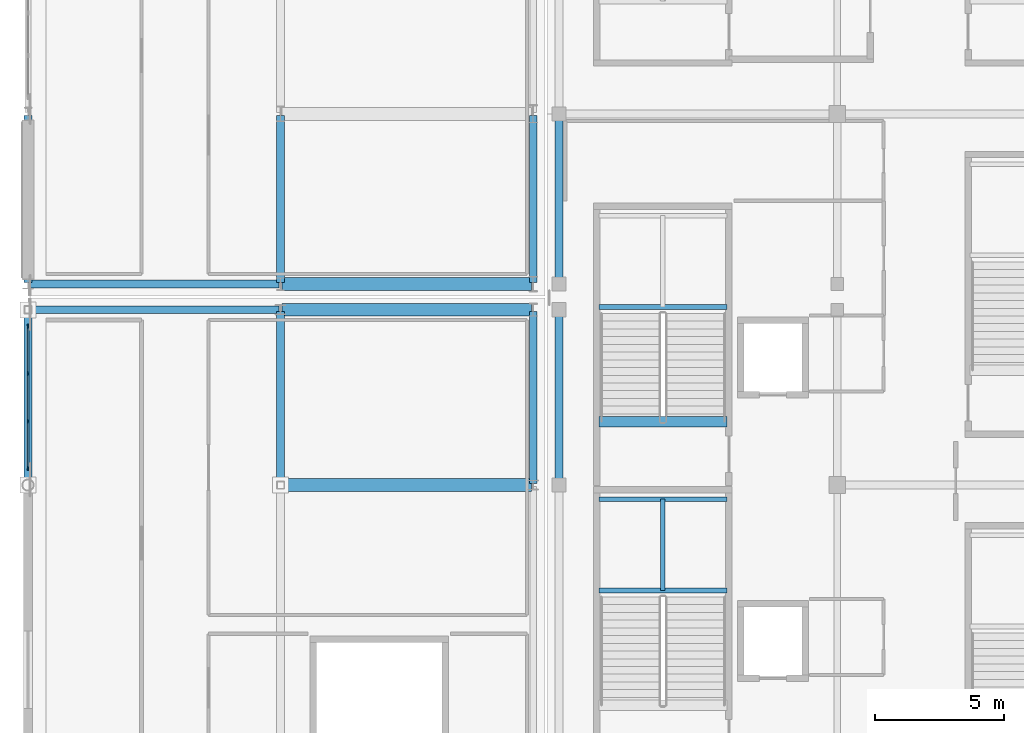
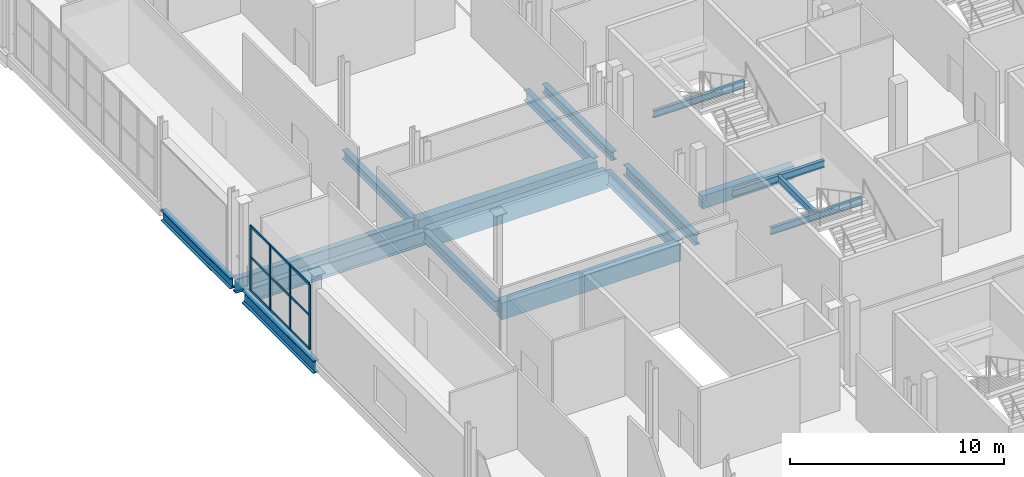
# One storey, part 28 of 142: 18 beams, 13 members, 1 element without a shape of its own.
"""IFC4 building model written with IfcOpenShell, lengths in metres."""

from ifc_helpers import new_model, si_unit, direction, frame, origin, origin_2d, place, context, subcontext, project, spatial, rectangle, i_section, extrude, material, material_profile, profile_set, type_object, element, aggregate, save


model = new_model("IFC4")

# Units and contexts
model_context = context("Model", 3, precision=1e-05, world=origin(), true_north=direction((0.0, 1.0)))
body_context = subcontext(model_context, "Body", "Model", "MODEL_VIEW")
ifc_project = project(units=[si_unit("LENGTHUNIT", "METRE"), si_unit("AREAUNIT", "SQUARE_METRE"), si_unit("VOLUMEUNIT", "CUBIC_METRE"), si_unit("PLANEANGLEUNIT", "RADIAN"), si_unit("MASSUNIT", "GRAM", prefix="KILO")], contexts=[model_context])

# Site, building, storey
site_placement = place(None, origin())
site = spatial("IfcSite", under=ifc_project, at=site_placement, CompositionType="ELEMENT")
building_placement = place(site_placement, origin())
building = spatial("IfcBuilding", under=site, at=building_placement, Name="Koshinbarg Plaza Stadium", CompositionType="ELEMENT")
storey_placement = place(building_placement, frame((0.0, 0.0, 10.199951171875)))
storey = spatial("IfcBuildingStorey", under=building, at=storey_placement, Name="L02", CompositionType="ELEMENT", Elevation=10.199951171875)

# Beams
ifc_material_1 = material(Name="Concrete C40/50", Category="concrete")
ifc_material_profile_1 = material_profile(ifc_material_1, rectangle(XDim=0.39990234375, YDim=0.75, at=origin_2d()), Name="RC 400x750")
ifc_profile_set_1 = profile_set([ifc_material_profile_1], Name="Concrete C40/50")
beam_type_1 = type_object("IfcBeamType", Name="BM-RCG-03", PredefinedType="USERDEFINED", material=ifc_profile_set_1)
beam_1_placement = place(storey_placement, frame((26.14990234375, 71.159912109375, -0.375), z_axis=(1.0, 0.0, 0.0), x_axis=(0.0, 1.0, 0.0)))
element("IfcBeam", 1, at=beam_1_placement, inside=storey, type_object=beam_type_1, Name="L02 stair landing header beam C04", ObjectType="GIRDER", PredefinedType="USERDEFINED", context=body_context, shape_type="SweptSolid", body=[
    extrude(rectangle(XDim=0.39990234375, YDim=0.75, at=origin_2d()), origin(), (0.0, 0.0, 1.0), 4.97021484375),
])
ifc_material_profile_2 = material_profile(ifc_material_1, rectangle(XDim=0.5, YDim=0.949951171875, at=origin_2d()), Name="RC 500x950")
ifc_profile_set_2 = profile_set([ifc_material_profile_2], Name="Concrete C40/50")
beam_type_2 = type_object("IfcBeamType", Name="BM-RCG-06", PredefinedType="USERDEFINED", material=ifc_profile_set_2)
for number, where, z_axis, x_axis, name in (
    (2, (13.860107421875, 68.699951171875, -0.77490234375), (1.0, 0.0, 0.0), (0.0, 1.0, 0.0), "L02 X girder J/3-4"),
    (3, (13.860107421875, 75.5, -0.77490234375), (1.0, 0.0, 0.0), (0.0, 1.0, 0.0), "L02 X girder K/3-4"),
    (4, (13.860107421875, 76.5, -0.77490234375), (1.0, 0.0, 0.0), (0.0, 1.0, 0.0), "L02 X girder L/3-4"),
):
    element("IfcBeam", number, at=place(storey_placement, frame(where, z_axis=z_axis, x_axis=x_axis)), inside=storey, type_object=beam_type_2, Name=name, ObjectType="GIRDER", PredefinedType="USERDEFINED", context=body_context, shape_type="SweptSolid", body=[
        extrude(rectangle(XDim=0.5, YDim=0.949951171875, at=origin_2d()), origin(), (0.0, 0.0, 1.0), 9.679931640625),
    ])
ifc_material_2 = material(Name="Steel S355", Category="steel")
ifc_material_profile_3 = material_profile(ifc_material_2, i_section(OverallWidth=0.179931640625, OverallDepth=0.39990234375, WebThickness=0.008544921875, FlangeThickness=0.013427734375, at=origin_2d()), Name="IPE 400")
ifc_profile_set_3 = profile_set([ifc_material_profile_3], Name="Steel S355")
beam_type_3 = type_object("IfcBeamType", Name="BM-SBM-01", PredefinedType="BEAM", material=ifc_profile_set_3)
for number, where, z_axis, x_axis, name in (
    (5, (26.14990234375, 64.610107421875, 1.880126953125), (1.0, 0.0, 0.0), (0.0, 1.0, 0.0), "L02 Protected Exit Stair C03 landing trimmer beam 1"),
    (6, (26.14990234375, 68.14990234375, 1.880126953125), (1.0, 0.0, 0.0), (0.0, 1.0, 0.0), "L02 Protected Exit Stair C03 landing trimmer beam 2"),
):
    element("IfcBeam", number, at=place(storey_placement, frame(where, z_axis=z_axis, x_axis=x_axis)), inside=storey, type_object=beam_type_3, Name=name, PredefinedType="BEAM", context=body_context, shape_type="SweptSolid", body=[
        extrude(i_section(OverallWidth=0.179931640625, OverallDepth=0.39990234375, WebThickness=0.008544921875, FlangeThickness=0.013427734375, at=origin_2d()), origin(), (0.0, 0.0, 1.0), 4.97021484375),
    ])
beam_2_placement = place(storey_placement, frame((28.635009765625, 64.610107421875, 1.880126953125), z_axis=(0.0, 1.0, 0.0), x_axis=(-1.0, 0.0, 0.0)))
element("IfcBeam", 7, at=beam_2_placement, inside=storey, type_object=beam_type_3, Name="L02 Protected Exit Stair C03 landing trimmer beam 3", PredefinedType="BEAM", context=body_context, shape_type="SweptSolid", body=[
    extrude(i_section(OverallWidth=0.179931640625, OverallDepth=0.39990234375, WebThickness=0.008544921875, FlangeThickness=0.013427734375, at=origin_2d()), origin(), (0.0, 0.0, 1.0), 3.539794921875),
])
beam_3_placement = place(storey_placement, frame((26.14990234375, 75.610107421875, 1.880126953125), z_axis=(1.0, 0.0, 0.0), x_axis=(0.0, 1.0, 0.0)))
element("IfcBeam", 8, at=beam_3_placement, inside=storey, type_object=beam_type_3, Name="L02 Protected Exit Stair C04 landing trimmer beam 1", PredefinedType="BEAM", context=body_context, shape_type="SweptSolid", body=[
    extrude(i_section(OverallWidth=0.179931640625, OverallDepth=0.39990234375, WebThickness=0.008544921875, FlangeThickness=0.013427734375, at=origin_2d()), origin(), (0.0, 0.0, 1.0), 4.97021484375),
])
ifc_material_profile_4 = material_profile(ifc_material_2, i_section(OverallWidth=0.300048828125, OverallDepth=0.5, WebThickness=0.014404296875, FlangeThickness=0.028076171875, at=origin_2d()), Name="HEB 500")
ifc_profile_set_4 = profile_set([ifc_material_profile_4], Name="Steel S355")
beam_type_4 = type_object("IfcBeamType", Name="BM-SGIR-01", PredefinedType="USERDEFINED", material=ifc_profile_set_4)
for number, where, z_axis, x_axis, name in (
    (9, (13.800048828125, 76.56005859375, -0.550048828125), (0.0, 1.0, 0.0), (-1.0, 0.0, 0.0), "L02 Y girder 3/L-M"),
    (10, (24.60009765625, 76.56005859375, -0.550048828125), (0.0, 1.0, 0.0), (-1.0, 0.0, 0.0), "L02 Y girder 5/L-M"),
):
    element("IfcBeam", number, at=place(storey_placement, frame(where, z_axis=z_axis, x_axis=x_axis)), inside=storey, type_object=beam_type_4, Name=name, ObjectType="GIRDER", PredefinedType="USERDEFINED", context=body_context, shape_type="SweptSolid", body=[
        extrude(i_section(OverallWidth=0.300048828125, OverallDepth=0.5, WebThickness=0.014404296875, FlangeThickness=0.028076171875, at=origin_2d()), origin(), (0.0, 0.0, 1.0), 6.47998046875),
    ])
ifc_material_profile_5 = material_profile(ifc_material_2, i_section(OverallWidth=0.300048828125, OverallDepth=0.60009765625, WebThickness=0.015380859375, FlangeThickness=0.030029296875, at=origin_2d()), Name="HEB 600")
ifc_profile_set_5 = profile_set([ifc_material_profile_5], Name="Steel S355")
beam_type_5 = type_object("IfcBeamType", Name="BM-SGIR-02", PredefinedType="USERDEFINED", material=ifc_profile_set_5)
beam_4_placement = place(storey_placement, frame((4.0, 76.56005859375, -0.599853515625), z_axis=(0.0, 1.0, 0.0), x_axis=(-1.0, 0.0, 0.0)))
element("IfcBeam", 11, at=beam_4_placement, inside=storey, type_object=beam_type_5, Name="L02 Y girder 2/L-M", ObjectType="GIRDER", PredefinedType="USERDEFINED", context=body_context, shape_type="SweptSolid", body=[
    extrude(i_section(OverallWidth=0.300048828125, OverallDepth=0.60009765625, WebThickness=0.015380859375, FlangeThickness=0.030029296875, at=origin_2d()), origin(), (0.0, 0.0, 1.0), 6.47998046875),
])
beam_5_placement = place(storey_placement, frame((13.800048828125, 68.760009765625, -0.599853515625), z_axis=(0.0, 1.0, 0.0), x_axis=(-1.0, 0.0, 0.0)))
element("IfcBeam", 12, at=beam_5_placement, inside=storey, type_object=beam_type_5, Name="L02 Y girder 3/J-K", ObjectType="GIRDER", PredefinedType="USERDEFINED", context=body_context, shape_type="SweptSolid", body=[
    extrude(i_section(OverallWidth=0.300048828125, OverallDepth=0.60009765625, WebThickness=0.015380859375, FlangeThickness=0.030029296875, at=origin_2d()), origin(), (0.0, 0.0, 1.0), 6.679931640625),
])
beam_6_placement = place(storey_placement, frame((23.60009765625, 76.56005859375, -0.599853515625), z_axis=(0.0, 1.0, 0.0), x_axis=(-1.0, 0.0, 0.0)))
element("IfcBeam", 13, at=beam_6_placement, inside=storey, type_object=beam_type_5, Name="L02 Y girder 4/L-M", ObjectType="GIRDER", PredefinedType="USERDEFINED", context=body_context, shape_type="SweptSolid", body=[
    extrude(i_section(OverallWidth=0.300048828125, OverallDepth=0.60009765625, WebThickness=0.015380859375, FlangeThickness=0.030029296875, at=origin_2d()), origin(), (0.0, 0.0, 1.0), 6.47998046875),
])
beam_7_placement = place(storey_placement, frame((24.60009765625, 68.760009765625, -0.599853515625), z_axis=(0.0, 1.0, 0.0), x_axis=(-1.0, 0.0, 0.0)))
element("IfcBeam", 14, at=beam_7_placement, inside=storey, type_object=beam_type_5, Name="L02 Y girder 5/J-K", ObjectType="GIRDER", PredefinedType="USERDEFINED", context=body_context, shape_type="SweptSolid", body=[
    extrude(i_section(OverallWidth=0.300048828125, OverallDepth=0.60009765625, WebThickness=0.015380859375, FlangeThickness=0.030029296875, at=origin_2d()), origin(), (0.0, 0.0, 1.0), 6.679931640625),
])
ifc_material_profile_6 = material_profile(ifc_material_2, i_section(OverallWidth=0.300048828125, OverallDepth=0.699951171875, WebThickness=0.01708984375, FlangeThickness=0.031982421875, at=origin_2d()), Name="HEB 700")
ifc_profile_set_6 = profile_set([ifc_material_profile_6], Name="Steel S355")
beam_type_6 = type_object("IfcBeamType", Name="BM-SGIR-03", PredefinedType="USERDEFINED", material=ifc_profile_set_6)
for number, where, z_axis, x_axis, name in (
    (15, (4.0, 68.760009765625, -0.64990234375), (0.0, 1.0, 0.0), (-1.0, 0.0, 0.0), "L02 Y girder 2/J-K"),
    (16, (23.60009765625, 68.760009765625, -0.64990234375), (0.0, 1.0, 0.0), (-1.0, 0.0, 0.0), "L02 Y girder 4/J-K"),
):
    element("IfcBeam", number, at=place(storey_placement, frame(where, z_axis=z_axis, x_axis=x_axis)), inside=storey, type_object=beam_type_6, Name=name, ObjectType="GIRDER", PredefinedType="USERDEFINED", context=body_context, shape_type="SweptSolid", body=[
        extrude(i_section(OverallWidth=0.300048828125, OverallDepth=0.699951171875, WebThickness=0.01708984375, FlangeThickness=0.031982421875, at=origin_2d()), origin(), (0.0, 0.0, 1.0), 6.679931640625),
    ])
ifc_material_profile_7 = material_profile(ifc_material_2, i_section(OverallWidth=0.300048828125, OverallDepth=0.800048828125, WebThickness=0.017578125, FlangeThickness=0.032958984375, at=origin_2d()), Name="HEB 800")
ifc_profile_set_7 = profile_set([ifc_material_profile_7], Name="Steel S355")
beam_type_7 = type_object("IfcBeamType", Name="BM-SGIR-04", PredefinedType="USERDEFINED", material=ifc_profile_set_7)
for number, where, z_axis, x_axis, name in (
    (17, (4.06005859375, 75.5, -0.699951171875), (1.0, 0.0, 0.0), (0.0, 1.0, 0.0), "L02 X girder K/2-3"),
    (18, (4.06005859375, 76.5, -0.699951171875), (1.0, 0.0, 0.0), (0.0, 1.0, 0.0), "L02 X girder L/2-3"),
):
    element("IfcBeam", number, at=place(storey_placement, frame(where, z_axis=z_axis, x_axis=x_axis)), inside=storey, type_object=beam_type_7, Name=name, ObjectType="GIRDER", PredefinedType="USERDEFINED", context=body_context, shape_type="SweptSolid", body=[
        extrude(i_section(OverallWidth=0.300048828125, OverallDepth=0.800048828125, WebThickness=0.017578125, FlangeThickness=0.032958984375, at=origin_2d()), origin(), (0.0, 0.0, 1.0), 9.679931640625),
    ])

# Curtain wall, members
ifc_material_3 = material(Name="Thermally broken anodised aluminium and low-E double glazing", Category="aluminium")
curtain_wall_type = type_object("IfcCurtainWallType", Name="CW-SYS-10", PredefinedType="NOTDEFINED", material=ifc_material_3)
curtain_wall_placement = place(storey_placement, origin())
curtain_wall = element("IfcCurtainWall", 19, at=curtain_wall_placement, inside=storey, type_object=curtain_wall_type, Name="L02 unitised curtain wall CW-L02-041", PredefinedType="NOTDEFINED")
ifc_material_4 = material(Name="Anodised aluminium mullion", Category="aluminium")
ifc_material_profile_8 = material_profile(ifc_material_4, rectangle(XDim=0.06005859375, YDim=0.159912109375, at=origin_2d()), Name="ALU 60x160")
ifc_profile_set_8 = profile_set([ifc_material_profile_8], Name="Anodised aluminium mullion")
member_type_1 = type_object("IfcMemberType", Name="CW-MUL-02", PredefinedType="MULLION", material=ifc_profile_set_8)
member_1_placement = place(storey_placement, frame((4.0, 69.35009765625, 0.0), z_axis=(0.0, 0.0, 1.0), x_axis=(-1.0, 0.0, 0.0)))
member_1 = element("IfcMember", 20, at=member_1_placement, type_object=member_type_1, Name="CW10 mullion 1", PredefinedType="MULLION", context=body_context, shape_type="SweptSolid", body=[
    extrude(rectangle(XDim=0.06005859375, YDim=0.159912109375, at=origin_2d()), origin(), (0.0, 0.0, 1.0), 3.719970703125),
])
member_2_placement = place(storey_placement, frame((4.0, 71.17333984375, 0.0), z_axis=(0.0, 0.0, 1.0), x_axis=(-1.0, 0.0, 0.0)))
member_2 = element("IfcMember", 21, at=member_2_placement, type_object=member_type_1, Name="CW10 mullion 2", PredefinedType="MULLION", context=body_context, shape_type="SweptSolid", body=[
    extrude(rectangle(XDim=0.06005859375, YDim=0.159912109375, at=origin_2d()), origin(), (0.0, 0.0, 1.0), 3.719970703125),
])
member_3_placement = place(storey_placement, frame((4.0, 73.026611328125, 0.0), z_axis=(0.0, 0.0, 1.0), x_axis=(-1.0, 0.0, 0.0)))
member_3 = element("IfcMember", 22, at=member_3_placement, type_object=member_type_1, Name="CW10 mullion 3", PredefinedType="MULLION", context=body_context, shape_type="SweptSolid", body=[
    extrude(rectangle(XDim=0.06005859375, YDim=0.159912109375, at=origin_2d()), origin(), (0.0, 0.0, 1.0), 3.719970703125),
])
member_4_placement = place(storey_placement, frame((4.0, 74.85009765625, 0.0), z_axis=(0.0, 0.0, 1.0), x_axis=(-1.0, 0.0, 0.0)))
member_4 = element("IfcMember", 23, at=member_4_placement, type_object=member_type_1, Name="CW10 mullion 4", PredefinedType="MULLION", context=body_context, shape_type="SweptSolid", body=[
    extrude(rectangle(XDim=0.06005859375, YDim=0.159912109375, at=origin_2d()), origin(), (0.0, 0.0, 1.0), 3.719970703125),
])
ifc_material_5 = material(Name="Anodised aluminium transom", Category="aluminium")
ifc_material_profile_9 = material_profile(ifc_material_5, rectangle(XDim=0.06005859375, YDim=0.1298828125, at=origin_2d()), Name="ALU 60x130")
ifc_profile_set_9 = profile_set([ifc_material_profile_9], Name="Anodised aluminium transom")
member_type_2 = type_object("IfcMemberType", Name="CW-TRN-02", PredefinedType="USERDEFINED", material=ifc_profile_set_9)
member_5_placement = place(storey_placement, frame((4.0, 69.3798828125, 0.030029296875), z_axis=(0.0, 1.0, 0.0), x_axis=(-1.0, 0.0, 0.0)))
member_5 = element("IfcMember", 24, at=member_5_placement, type_object=member_type_2, Name="CW10 transom 1.1", ObjectType="TRANSOM", PredefinedType="USERDEFINED", context=body_context, shape_type="SweptSolid", body=[
    extrude(rectangle(XDim=0.06005859375, YDim=0.1298828125, at=origin_2d()), origin(), (0.0, 0.0, 1.0), 1.763427734375),
])
member_6_placement = place(storey_placement, frame((4.0, 69.3798828125, 1.9345703125), z_axis=(0.0, 1.0, 0.0), x_axis=(-1.0, 0.0, 0.0)))
member_6 = element("IfcMember", 25, at=member_6_placement, type_object=member_type_2, Name="CW10 transom 1.2", ObjectType="TRANSOM", PredefinedType="USERDEFINED", context=body_context, shape_type="SweptSolid", body=[
    extrude(rectangle(XDim=0.06005859375, YDim=0.1298828125, at=origin_2d()), origin(), (0.0, 0.0, 1.0), 1.763427734375),
])
member_7_placement = place(storey_placement, frame((4.0, 69.3798828125, 3.68994140625), z_axis=(0.0, 1.0, 0.0), x_axis=(-1.0, 0.0, 0.0)))
member_7 = element("IfcMember", 26, at=member_7_placement, type_object=member_type_2, Name="CW10 transom 1.3", ObjectType="TRANSOM", PredefinedType="USERDEFINED", context=body_context, shape_type="SweptSolid", body=[
    extrude(rectangle(XDim=0.06005859375, YDim=0.1298828125, at=origin_2d()), origin(), (0.0, 0.0, 1.0), 1.763427734375),
])
member_8_placement = place(storey_placement, frame((4.0, 71.203369140625, 0.030029296875), z_axis=(0.0, 1.0, 0.0), x_axis=(-1.0, 0.0, 0.0)))
member_8 = element("IfcMember", 27, at=member_8_placement, type_object=member_type_2, Name="CW10 transom 2.1", ObjectType="TRANSOM", PredefinedType="USERDEFINED", context=body_context, shape_type="SweptSolid", body=[
    extrude(rectangle(XDim=0.06005859375, YDim=0.1298828125, at=origin_2d()), origin(), (0.0, 0.0, 1.0), 1.793212890625),
])
member_9_placement = place(storey_placement, frame((4.0, 71.203369140625, 1.9345703125), z_axis=(0.0, 1.0, 0.0), x_axis=(-1.0, 0.0, 0.0)))
member_9 = element("IfcMember", 28, at=member_9_placement, type_object=member_type_2, Name="CW10 transom 2.2", ObjectType="TRANSOM", PredefinedType="USERDEFINED", context=body_context, shape_type="SweptSolid", body=[
    extrude(rectangle(XDim=0.06005859375, YDim=0.1298828125, at=origin_2d()), origin(), (0.0, 0.0, 1.0), 1.793212890625),
])
member_10_placement = place(storey_placement, frame((4.0, 71.203369140625, 3.68994140625), z_axis=(0.0, 1.0, 0.0), x_axis=(-1.0, 0.0, 0.0)))
member_10 = element("IfcMember", 29, at=member_10_placement, type_object=member_type_2, Name="CW10 transom 2.3", ObjectType="TRANSOM", PredefinedType="USERDEFINED", context=body_context, shape_type="SweptSolid", body=[
    extrude(rectangle(XDim=0.06005859375, YDim=0.1298828125, at=origin_2d()), origin(), (0.0, 0.0, 1.0), 1.793212890625),
])
member_11_placement = place(storey_placement, frame((4.0, 73.056640625, 0.030029296875), z_axis=(0.0, 1.0, 0.0), x_axis=(-1.0, 0.0, 0.0)))
member_11 = element("IfcMember", 30, at=member_11_placement, type_object=member_type_2, Name="CW10 transom 3.1", ObjectType="TRANSOM", PredefinedType="USERDEFINED", context=body_context, shape_type="SweptSolid", body=[
    extrude(rectangle(XDim=0.06005859375, YDim=0.1298828125, at=origin_2d()), origin(), (0.0, 0.0, 1.0), 1.763427734375),
])
member_12_placement = place(storey_placement, frame((4.0, 73.056640625, 1.9345703125), z_axis=(0.0, 1.0, 0.0), x_axis=(-1.0, 0.0, 0.0)))
member_12 = element("IfcMember", 31, at=member_12_placement, type_object=member_type_2, Name="CW10 transom 3.2", ObjectType="TRANSOM", PredefinedType="USERDEFINED", context=body_context, shape_type="SweptSolid", body=[
    extrude(rectangle(XDim=0.06005859375, YDim=0.1298828125, at=origin_2d()), origin(), (0.0, 0.0, 1.0), 1.763427734375),
])
member_13_placement = place(storey_placement, frame((4.0, 73.056640625, 3.68994140625), z_axis=(0.0, 1.0, 0.0), x_axis=(-1.0, 0.0, 0.0)))
member_13 = element("IfcMember", 32, at=member_13_placement, type_object=member_type_2, Name="CW10 transom 3.3", ObjectType="TRANSOM", PredefinedType="USERDEFINED", context=body_context, shape_type="SweptSolid", body=[
    extrude(rectangle(XDim=0.06005859375, YDim=0.1298828125, at=origin_2d()), origin(), (0.0, 0.0, 1.0), 1.763427734375),
])
aggregate(curtain_wall, [member_1, member_2, member_3, member_4, member_5, member_6, member_7, member_8, member_9, member_10, member_11, member_12, member_13])

save(model, "model.ifc")
